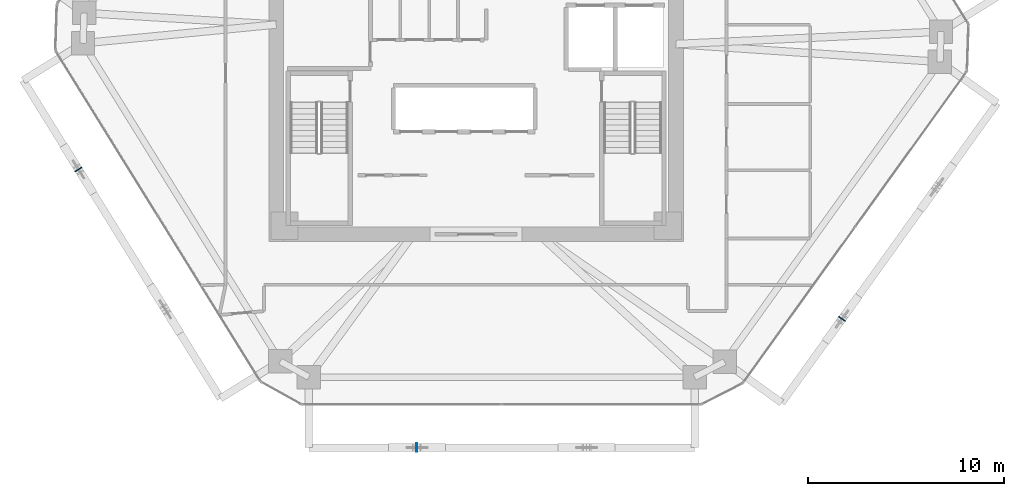
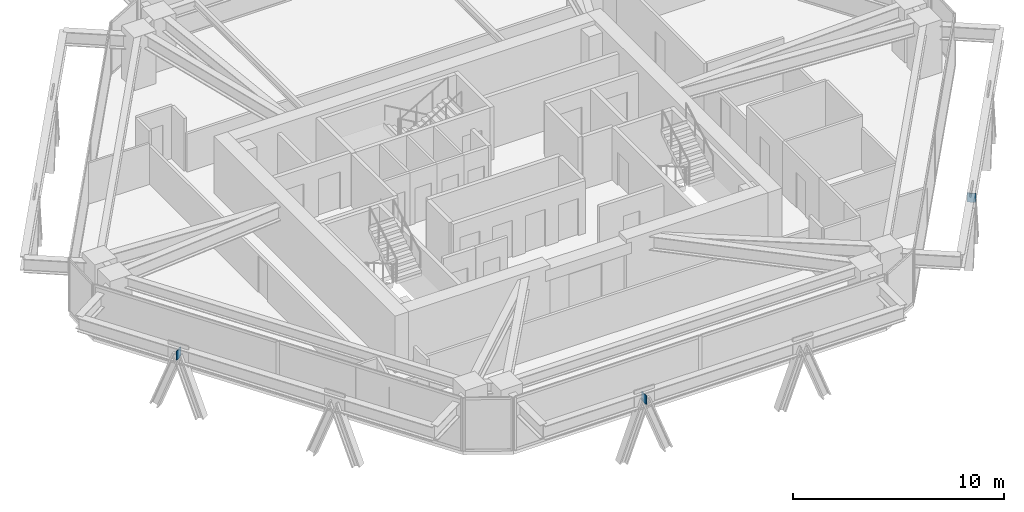
# One storey, part 10 of 15: 3 plates.
"""IFC4 building model written with IfcOpenShell, lengths in metres."""

from ifc_helpers import new_model, si_unit, direction, frame, origin, origin_2d, place, context, subcontext, project, spatial, rectangle, extrude, source, transform, mapped, material, layer, layer_set, type_object, type_shapes, element, save


model = new_model("IFC4")

# Units and contexts
model_context = context("Model", 3, precision=1e-05, world=origin(), true_north=direction((0.0, 1.0)))
body_context = subcontext(model_context, "Body", "Model", "MODEL_VIEW")
ifc_project = project(units=[si_unit("LENGTHUNIT", "METRE"), si_unit("AREAUNIT", "SQUARE_METRE"), si_unit("VOLUMEUNIT", "CUBIC_METRE"), si_unit("PLANEANGLEUNIT", "RADIAN"), si_unit("MASSUNIT", "GRAM", prefix="KILO")], contexts=[model_context])

# Site, building, storey
site_placement = place(None, origin())
site = spatial("IfcSite", under=ifc_project, at=site_placement, CompositionType="ELEMENT")
building_placement = place(site_placement, origin())
building = spatial("IfcBuilding", under=site, at=building_placement, Name="Durnholm Broadcast Tower", CompositionType="ELEMENT")
storey_placement = place(building_placement, frame((0.0, 0.0, 97.5)))
storey = spatial("IfcBuildingStorey", under=building, at=storey_placement, Name="L25", CompositionType="ELEMENT", Elevation=97.5)

# Plates
ifc_material = material(Name="Steel ASTM A572 Grade 50", Category="steel")
ifc_layer = layer(ifc_material, 0.044921875)
ifc_layer_set = layer_set([ifc_layer], Name="Steel ASTM A572 Grade 50")
plate_type = type_object("IfcPlateType", Name="PLT-KN-STIF", PredefinedType="SHEET", material=ifc_layer_set)
shared_shape = source(origin(), body_context, "Body", "SweptSolid", [
    extrude(rectangle(XDim=0.044921875, YDim=0.419921875, at=origin_2d()), origin(), (0.0, 0.0, 1.0), 0.52001953125),
])
type_shapes(plate_type, [shared_shape])
for number, where, z_axis, x_axis, name in (
    (1, (-3.028076171875, -19.136962890625, 2.048583984375), (0.0, 0.0, 1.0), (1.0, 0.0, 0.0), "L25 welded diagrid node stiffener plate F1"),
    (2, (18.71875, -12.556396484375, 2.048583984375), (0.0, 0.0, 1.0), (0.583399467156, 0.812185361677, 0.0), "L25 welded diagrid node stiffener plate F2"),
    (3, (-20.337158203125, -4.910400390625, 2.048583984375), (0.0, 0.0, 1.0), (0.527104121728, -0.849800708906, 0.0), "L25 welded diagrid node stiffener plate F6"),
):
    element("IfcPlate", number, at=place(storey_placement, frame(where, z_axis=z_axis, x_axis=x_axis)), inside=storey, type_object=plate_type, Name=name, PredefinedType="SHEET", context=body_context, shape_type="MappedRepresentation", body=[
        mapped(shared_shape, transform((0.0, 0.0, 0.0), x_axis=(1.0, 0.0, 0.0), y_axis=(0.0, 1.0, 0.0), z_axis=(0.0, 0.0, 1.0), scale=1.0)),
    ])

save(model, "model.ifc")
